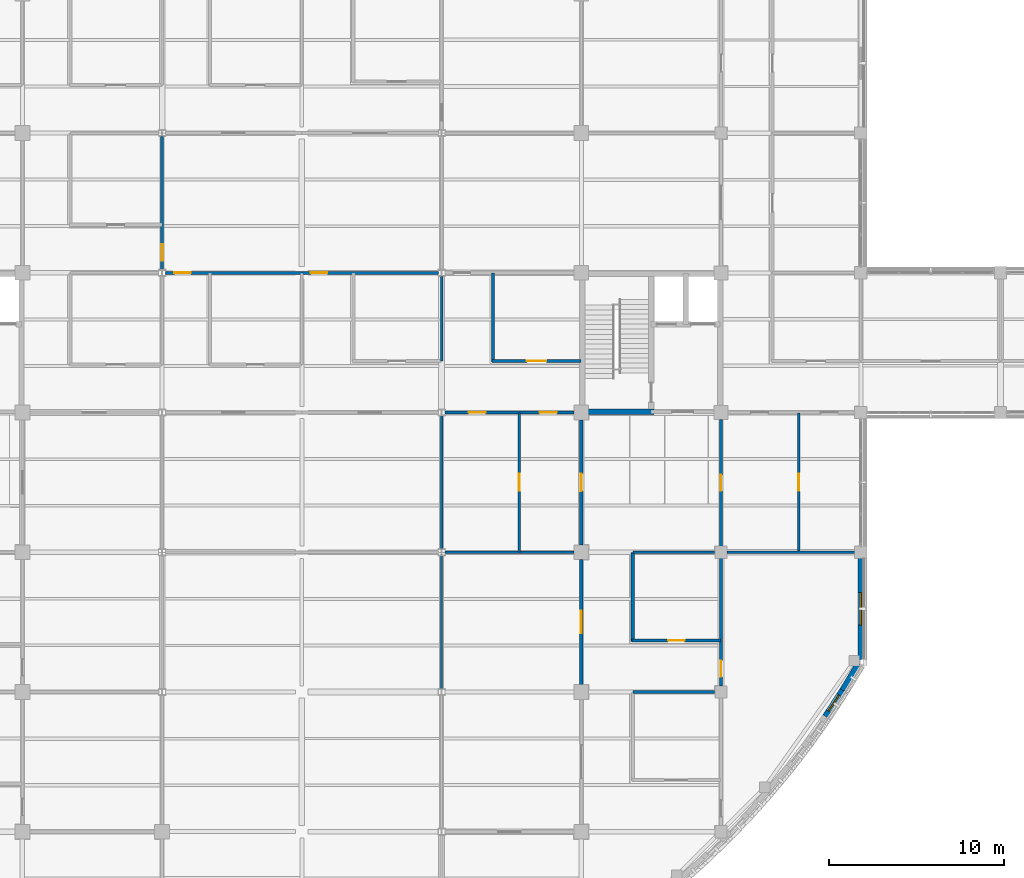
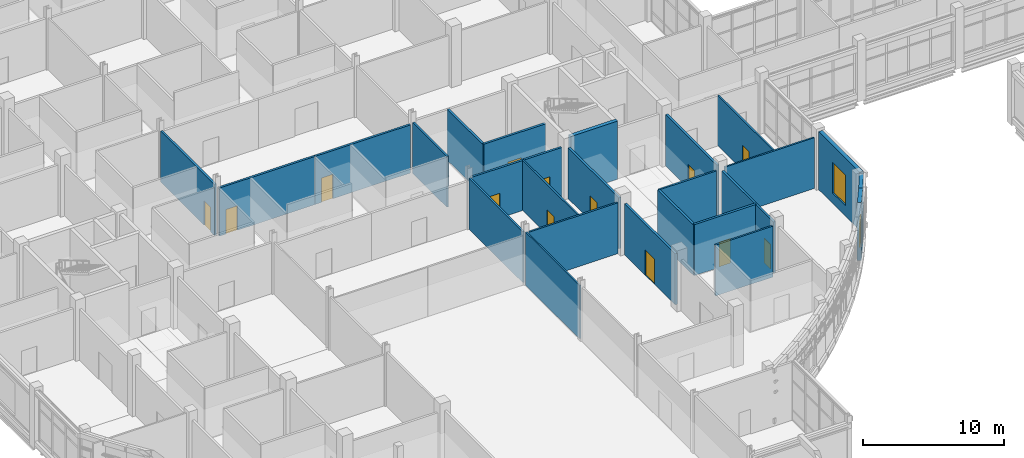
# One storey, part 66 of 105: 25 walls, 13 doors, 2 windows, 15 openings.
"""IFC4 building model written with IfcOpenShell, lengths in metres."""

from ifc_helpers import new_model, si_unit, derived_unit, direction, frame, frame_2d, origin, place, context, subcontext, project, spatial, rectangle, extrude, material, layer, layer_set, type_object, element, fill, save


model = new_model("IFC4")

# Units and contexts
model_context = context("Model", 3, precision=1e-05, world=origin(), true_north=direction((0.0, 1.0)))
body_context = subcontext(model_context, "Body", "Model", "MODEL_VIEW")
ifc_project = project(units=[si_unit("LENGTHUNIT", "METRE"), si_unit("AREAUNIT", "SQUARE_METRE"), si_unit("VOLUMEUNIT", "CUBIC_METRE"), si_unit("PLANEANGLEUNIT", "RADIAN"), si_unit("MASSUNIT", "GRAM", prefix="KILO"), derived_unit("THERMALTRANSMITTANCEUNIT", [(si_unit("MASSUNIT", "GRAM", prefix="KILO"), 1), (si_unit("TIMEUNIT", "SECOND"), -3), (si_unit("THERMODYNAMICTEMPERATUREUNIT", "KELVIN"), -1)])], contexts=[model_context])

# Site, building, storey
site_placement = place(None, origin())
site = spatial("IfcSite", under=ifc_project, at=site_placement, CompositionType="ELEMENT")
building_placement = place(site_placement, origin())
building = spatial("IfcBuilding", under=site, at=building_placement, Name="Veyamyaing Civic Hall", CompositionType="ELEMENT")
storey_placement = place(building_placement, origin())
storey = spatial("IfcBuildingStorey", under=building, at=storey_placement, Name="L00", CompositionType="ELEMENT", Elevation=0.0)

# Wall, opening, window
ifc_material_1 = material(Name="Precast concrete C40/50", Category="concrete")
ifc_layer_1 = layer(ifc_material_1, 0.304931640625, Name="Precast concrete C40/50")
ifc_layer_set_1 = layer_set([ifc_layer_1], Name="Precast concrete C40/50")
wall_type_1 = type_object("IfcWallType", Name="WT-03", PredefinedType="SOLIDWALL", material=ifc_layer_set_1)
wall_1_placement = place(storey_placement, frame((117.960693359375, 30.61474609375, 0.0), z_axis=(0.0, 0.0, 1.0), x_axis=(0.547681678944, 0.836686786408, 0.0)))
wall_1 = element("IfcWall", 1, at=wall_1_placement, inside=storey, type_object=wall_type_1, Name="Curved corner facade wall WT-03 L00 SE.13", PredefinedType="SOLIDWALL", context=body_context, shape_type="SweptSolid", body=[
    extrude(rectangle(XDim=1.795166015625, YDim=0.304931640625, at=frame_2d((0.8974609375, 0.0))), origin(), (0.0, 0.0, 1.0), 5.034912109375),
])
opening_1_placement = place(wall_1_placement, frame((0.347412109375, 0.0, 0.89990234375)))
opening_1 = element("IfcOpeningElement", 2, at=opening_1_placement, cuts=wall_1, Name="Opening W-15", PredefinedType="OPENING", context=body_context, shape_type="SweptSolid", body=[
    extrude(rectangle(XDim=1.10009765625, YDim=2.10009765625, at=frame_2d((0.550048828125, 1.050048828125))), frame((0.0, 0.162353515625, 0.0), z_axis=(0.0, -1.0, 0.0), x_axis=(1.0, 0.0, 0.0)), (0.0, 0.0, 1.0), 0.324951171875),
])
ifc_material_2 = material(Name="Low-E insulated glass", Category="glass")
window_type_1 = type_object("IfcWindowType", Name="W-15", PartitioningType="SINGLE_PANEL", PredefinedType="WINDOW", material=ifc_material_2)
window_1_placement = place(opening_1_placement, origin())
window_1 = element("IfcWindow", 3, at=window_1_placement, inside=storey, type_object=window_type_1, Name="Curved ribbon window W-15 L00 SE.13", OverallHeight=2.10009765625, OverallWidth=1.10009765625, PartitioningType="SINGLE_PANEL", PredefinedType="WINDOW", context=body_context, shape_type="SweptSolid", body=[
    extrude(rectangle(XDim=1.10009765625, YDim=2.10009765625, at=frame_2d((0.550048828125, 1.050048828125))), frame((0.0, 0.030029296875, 0.0), z_axis=(0.0, -1.0, 0.0), x_axis=(1.0, 0.0, 0.0)), (0.0, 0.0, 1.0), 0.06005859375),
])
fill(opening_1, window_1)

# Wall
wall_2_placement = place(storey_placement, frame((118.94091796875, 32.11181640625, 0.0), z_axis=(0.0, 0.0, 1.0), x_axis=(0.51607516088, 0.856543302071, 0.0)))
element("IfcWall", 4, at=wall_2_placement, inside=storey, type_object=wall_type_1, Name="Curved corner facade wall WT-03 L00 SE.14", PredefinedType="SOLIDWALL", context=body_context, shape_type="SweptSolid", body=[
    extrude(rectangle(XDim=1.794921875, YDim=0.304931640625, at=frame_2d((0.8974609375, 0.0))), origin(), (0.0, 0.0, 1.0), 5.034912109375),
])

# Wall, opening, window
wall_3_placement = place(storey_placement, frame((120.0, 33.854248046875, 0.0), z_axis=(0.0, 0.0, 1.0), x_axis=(0.0, 1.0, 0.0)))
wall_3 = element("IfcWall", 5, at=wall_3_placement, inside=storey, type_object=wall_type_1, Name="Exterior facade wall WT-03 L00 E 15.5", PredefinedType="SOLIDWALL", context=body_context, shape_type="SweptSolid", body=[
    extrude(rectangle(XDim=5.810791015625, YDim=0.304931640625, at=frame_2d((2.9052734375, 0.0))), origin(), (0.0, 0.0, 1.0), 5.034912109375),
])
opening_2_placement = place(wall_3_placement, frame((1.98046875, 0.0, 0.89990234375)))
opening_2 = element("IfcOpeningElement", 6, at=opening_2_placement, cuts=wall_3, Name="Opening W-03", PredefinedType="OPENING", context=body_context, shape_type="SweptSolid", body=[
    extrude(rectangle(XDim=1.85009765625, YDim=2.64990234375, at=frame_2d((0.925048828125, 1.324951171875))), frame((0.0, 0.162353515625, 0.0), z_axis=(0.0, -1.0, 0.0), x_axis=(1.0, 0.0, 0.0)), (0.0, 0.0, 1.0), 0.324951171875),
])
window_type_2 = type_object("IfcWindowType", Name="W-03", PartitioningType="SINGLE_PANEL", PredefinedType="WINDOW", material=ifc_material_2)
window_2_placement = place(opening_2_placement, origin())
window_2 = element("IfcWindow", 7, at=window_2_placement, inside=storey, type_object=window_type_2, Name="Facade window W-03 L00 E 15.5", OverallHeight=2.64990234375, OverallWidth=1.85009765625, PartitioningType="SINGLE_PANEL", PredefinedType="WINDOW", context=body_context, shape_type="SweptSolid", body=[
    extrude(rectangle(XDim=1.85009765625, YDim=2.64990234375, at=frame_2d((0.925048828125, 1.324951171875))), frame((0.0, 0.030029296875, 0.0), z_axis=(0.0, -1.0, 0.0), x_axis=(1.0, 0.0, 0.0)), (0.0, 0.0, 1.0), 0.06005859375),
])
fill(opening_2, window_2)

# Wall
ifc_material_3 = material(Name="Concrete C40/50", Category="concrete")
ifc_layer_2 = layer(ifc_material_3, 0.300048828125, Name="Concrete C40/50")
ifc_layer_set_2 = layer_set([ifc_layer_2], Name="Concrete C40/50")
wall_type_2 = type_object("IfcWallType", Name="WT-05", PredefinedType="SHEAR", material=ifc_layer_set_2)
wall_4_placement = place(storey_placement, frame((104.31494140625, 48.050048828125, 0.0), z_axis=(0.0, 0.0, 1.0), x_axis=(1.0, 0.0, 0.0)))
element("IfcWall", 8, at=wall_4_placement, inside=storey, type_object=wall_type_2, Name="Core shear wall WT-05 CORE-6 L00.SS", PredefinedType="SHEAR", context=body_context, shape_type="SweptSolid", body=[
    extrude(rectangle(XDim=3.8349609375, YDim=0.300048828125, at=frame_2d((1.91748046875, 0.0))), origin(), (0.0, 0.0, 1.0), 5.034912109375),
])

# Wall, opening, door
ifc_material_4 = material(Name="Gypsum board on acoustic steel stud", Category="steel")
ifc_layer_3 = layer(ifc_material_4, 0.175048828125, Name="Gypsum board on acoustic steel stud")
ifc_layer_set_3 = layer_set([ifc_layer_3], Name="Gypsum board on acoustic steel stud")
wall_type_3 = type_object("IfcWallType", Name="WT-07", PredefinedType="PARTITIONING", material=ifc_layer_set_3)
wall_5_placement = place(storey_placement, frame((80.0, 56.18359375, 0.0), z_axis=(0.0, 0.0, 1.0), x_axis=(0.0, 1.0, 0.0)))
wall_5 = element("IfcWall", 9, at=wall_5_placement, inside=storey, type_object=wall_type_3, Name="Interior partition wall WT-07 L00.67", PredefinedType="PARTITIONING", context=body_context, shape_type="SweptSolid", body=[
    extrude(rectangle(XDim=7.6328125, YDim=0.175048828125, at=frame_2d((3.81640625, 0.0))), origin(), (0.0, 0.0, 1.0), 4.412109375),
])
opening_3_placement = place(wall_5_placement, frame((0.52001953125, 0.0, 0.0)))
opening_3 = element("IfcOpeningElement", 10, at=opening_3_placement, cuts=wall_5, Name="Opening D-30", PredefinedType="OPENING", context=body_context, shape_type="SweptSolid", body=[
    extrude(rectangle(XDim=0.93994140625, YDim=2.1201171875, at=frame_2d((0.469970703125, 1.06005859375))), frame((0.0, 0.097412109375, 0.0), z_axis=(0.0, -1.0, 0.0), x_axis=(1.0, 0.0, 0.0)), (0.0, 0.0, 1.0), 0.195068359375),
])
ifc_material_5 = material(Name="Teak-veneered acoustic timber", Category="wood")
door_type_1 = type_object("IfcDoorType", Name="D-30", OperationType="NOTDEFINED", PredefinedType="DOOR", material=ifc_material_5)
door_1_placement = place(opening_3_placement, frame((0.93994140625, 0.0, 0.0), z_axis=(0.0, 0.0, 1.0), x_axis=(-1.0, 0.0, 0.0)))
door_1 = element("IfcDoor", 11, at=door_1_placement, inside=storey, type_object=door_type_1, Name="Interior door D-30 L00.67", OperationType="SINGLE_SWING_LEFT", OverallHeight=2.1201171875, OverallWidth=0.93994140625, PredefinedType="DOOR", context=body_context, shape_type="SweptSolid", body=[
    extrude(rectangle(XDim=0.93994140625, YDim=2.1201171875, at=frame_2d((0.469970703125, 1.06005859375))), frame((0.0, 0.02490234375, 0.0), z_axis=(0.0, -1.0, 0.0), x_axis=(1.0, 0.0, 0.0)), (0.0, 0.0, 1.0), 0.050048828125),
])
fill(opening_3, door_1)

wall_6_placement = place(storey_placement, frame((80.18896484375, 56.0, 0.0), z_axis=(0.0, 0.0, 1.0), x_axis=(1.0, 0.0, 0.0)))
wall_6 = element("IfcWall", 12, at=wall_6_placement, inside=storey, type_object=wall_type_3, Name="Interior partition wall WT-07 L00.75", PredefinedType="PARTITIONING", context=body_context, shape_type="SweptSolid", body=[
    extrude(rectangle(XDim=7.81103515625, YDim=0.175048828125, at=frame_2d((3.905517578125, 0.0))), origin(), (0.0, 0.0, 1.0), 4.1689453125),
])
opening_4_placement = place(wall_6_placement, frame((0.52001953125, 0.0, 0.0)))
opening_4 = element("IfcOpeningElement", 13, at=opening_4_placement, cuts=wall_6, Name="Opening D-30", PredefinedType="OPENING", context=body_context, shape_type="SweptSolid", body=[
    extrude(rectangle(XDim=0.93994140625, YDim=2.1201171875, at=frame_2d((0.469970703125, 1.06005859375))), frame((0.0, 0.097412109375, 0.0), z_axis=(0.0, -1.0, 0.0), x_axis=(1.0, 0.0, 0.0)), (0.0, 0.0, 1.0), 0.195068359375),
])
door_2_placement = place(opening_4_placement, origin())
door_2 = element("IfcDoor", 14, at=door_2_placement, inside=storey, type_object=door_type_1, Name="Interior door D-30 L00.75", OperationType="SINGLE_SWING_RIGHT", OverallHeight=2.1201171875, OverallWidth=0.93994140625, PredefinedType="DOOR", context=body_context, shape_type="SweptSolid", body=[
    extrude(rectangle(XDim=0.93994140625, YDim=2.1201171875, at=frame_2d((0.469970703125, 1.06005859375))), frame((0.0, 0.02490234375, 0.0), z_axis=(0.0, -1.0, 0.0), x_axis=(1.0, 0.0, 0.0)), (0.0, 0.0, 1.0), 0.050048828125),
])
fill(opening_4, door_2)

wall_7_placement = place(storey_placement, frame((88.0, 56.0, 0.0), z_axis=(0.0, 0.0, 1.0), x_axis=(1.0, 0.0, 0.0)))
wall_7 = element("IfcWall", 15, at=wall_7_placement, inside=storey, type_object=wall_type_3, Name="Interior partition wall WT-07 L00.89", PredefinedType="PARTITIONING", context=body_context, shape_type="SweptSolid", body=[
    extrude(rectangle(XDim=7.81103515625, YDim=0.175048828125, at=frame_2d((3.905517578125, 0.0))), origin(), (0.0, 0.0, 1.0), 4.1689453125),
])
opening_5_placement = place(wall_7_placement, frame((0.52001953125, 0.0, 0.0)))
opening_5 = element("IfcOpeningElement", 16, at=opening_5_placement, cuts=wall_7, Name="Opening D-30", PredefinedType="OPENING", context=body_context, shape_type="SweptSolid", body=[
    extrude(rectangle(XDim=0.93994140625, YDim=2.1201171875, at=frame_2d((0.469970703125, 1.06005859375))), frame((0.0, 0.097412109375, 0.0), z_axis=(0.0, -1.0, 0.0), x_axis=(1.0, 0.0, 0.0)), (0.0, 0.0, 1.0), 0.195068359375),
])
door_3_placement = place(opening_5_placement, origin())
door_3 = element("IfcDoor", 17, at=door_3_placement, inside=storey, type_object=door_type_1, Name="Interior door D-30 L00.89", OperationType="SINGLE_SWING_LEFT", OverallHeight=2.1201171875, OverallWidth=0.93994140625, PredefinedType="DOOR", context=body_context, shape_type="SweptSolid", body=[
    extrude(rectangle(XDim=0.93994140625, YDim=2.1201171875, at=frame_2d((0.469970703125, 1.06005859375))), frame((0.0, 0.02490234375, 0.0), z_axis=(0.0, -1.0, 0.0), x_axis=(1.0, 0.0, 0.0)), (0.0, 0.0, 1.0), 0.050048828125),
])
fill(opening_5, door_3)

# Wall, openings, doors
wall_8_placement = place(storey_placement, frame((96.18896484375, 48.0, 0.0), z_axis=(0.0, 0.0, 1.0), x_axis=(1.0, 0.0, 0.0)))
wall_8 = element("IfcWall", 18, at=wall_8_placement, inside=storey, type_object=wall_type_3, Name="Interior partition wall WT-07 L00.101", PredefinedType="PARTITIONING", context=body_context, shape_type="SweptSolid", body=[
    extrude(rectangle(XDim=7.39599609375, YDim=0.175048828125, at=frame_2d((3.697998046875, 0.0))), origin(), (0.0, 0.0, 1.0), 4.3359375),
])
opening_6_placement = place(wall_8_placement, frame((1.35888671875, 0.0, 0.0)))
opening_6 = element("IfcOpeningElement", 19, at=opening_6_placement, cuts=wall_8, Name="Opening D-14", PredefinedType="OPENING", context=body_context, shape_type="SweptSolid", body=[
    extrude(rectangle(XDim=0.97998046875, YDim=2.14990234375, at=frame_2d((0.489990234375, 1.074951171875))), frame((0.0, 0.097412109375, 0.0), z_axis=(0.0, -1.0, 0.0), x_axis=(1.0, 0.0, 0.0)), (0.0, 0.0, 1.0), 0.195068359375),
])
opening_7_placement = place(wall_8_placement, frame((5.4267578125, 0.0, 0.0)))
opening_7 = element("IfcOpeningElement", 20, at=opening_7_placement, cuts=wall_8, Name="Opening D-14", PredefinedType="OPENING", context=body_context, shape_type="SweptSolid", body=[
    extrude(rectangle(XDim=0.97998046875, YDim=2.14990234375, at=frame_2d((0.489990234375, 1.074951171875))), frame((0.0, 0.097412109375, 0.0), z_axis=(0.0, -1.0, 0.0), x_axis=(1.0, 0.0, 0.0)), (0.0, 0.0, 1.0), 0.195068359375),
])
door_type_2 = type_object("IfcDoorType", Name="D-14", OperationType="NOTDEFINED", PredefinedType="DOOR", material=ifc_material_5)
door_4_placement = place(opening_6_placement, frame((0.97998046875, 0.0, 0.0), z_axis=(0.0, 0.0, 1.0), x_axis=(-1.0, 0.0, 0.0)))
door_4 = element("IfcDoor", 21, at=door_4_placement, inside=storey, type_object=door_type_2, Name="Interior room door D-14 L00.101.1", OperationType="SINGLE_SWING_LEFT", OverallHeight=2.14990234375, OverallWidth=0.97998046875, PredefinedType="DOOR", context=body_context, shape_type="SweptSolid", body=[
    extrude(rectangle(XDim=0.97998046875, YDim=2.14990234375, at=frame_2d((0.489990234375, 1.074951171875))), frame((0.0, 0.02490234375, 0.0), z_axis=(0.0, -1.0, 0.0), x_axis=(1.0, 0.0, 0.0)), (0.0, 0.0, 1.0), 0.050048828125),
])
fill(opening_6, door_4)
door_5_placement = place(opening_7_placement, frame((0.97998046875, 0.0, 0.0), z_axis=(0.0, 0.0, 1.0), x_axis=(-1.0, 0.0, 0.0)))
door_5 = element("IfcDoor", 22, at=door_5_placement, inside=storey, type_object=door_type_2, Name="Interior room door D-14 L00.101.2", OperationType="SINGLE_SWING_RIGHT", OverallHeight=2.14990234375, OverallWidth=0.97998046875, PredefinedType="DOOR", context=body_context, shape_type="SweptSolid", body=[
    extrude(rectangle(XDim=0.97998046875, YDim=2.14990234375, at=frame_2d((0.489990234375, 1.074951171875))), frame((0.0, 0.02490234375, 0.0), z_axis=(0.0, -1.0, 0.0), x_axis=(1.0, 0.0, 0.0)), (0.0, 0.0, 1.0), 0.050048828125),
])
fill(opening_7, door_5)

# Wall, opening, door
wall_9_placement = place(storey_placement, frame((112.0, 32.340087890625, 0.0), z_axis=(0.0, 0.0, 1.0), x_axis=(0.0, 1.0, 0.0)))
wall_9 = element("IfcWall", 23, at=wall_9_placement, inside=storey, type_object=wall_type_3, Name="Interior partition wall WT-07 L00.111", PredefinedType="PARTITIONING", context=body_context, shape_type="SweptSolid", body=[
    extrude(rectangle(XDim=7.31982421875, YDim=0.175048828125, at=frame_2d((3.659912109375, 0.0))), origin(), (0.0, 0.0, 1.0), 4.404052734375),
])
opening_8_placement = place(wall_9_placement, frame((0.52001953125, 0.0, 0.0)))
opening_8 = element("IfcOpeningElement", 24, at=opening_8_placement, cuts=wall_9, Name="Opening D-30", PredefinedType="OPENING", context=body_context, shape_type="SweptSolid", body=[
    extrude(rectangle(XDim=0.93994140625, YDim=2.1201171875, at=frame_2d((0.469970703125, 1.06005859375))), frame((0.0, 0.097412109375, 0.0), z_axis=(0.0, -1.0, 0.0), x_axis=(1.0, 0.0, 0.0)), (0.0, 0.0, 1.0), 0.195068359375),
])
door_6_placement = place(opening_8_placement, frame((0.93994140625, 0.0, 0.0), z_axis=(0.0, 0.0, 1.0), x_axis=(-1.0, 0.0, 0.0)))
door_6 = element("IfcDoor", 25, at=door_6_placement, inside=storey, type_object=door_type_1, Name="Interior door D-30 L00.111", OperationType="SINGLE_SWING_LEFT", OverallHeight=2.1201171875, OverallWidth=0.93994140625, PredefinedType="DOOR", context=body_context, shape_type="SweptSolid", body=[
    extrude(rectangle(XDim=0.93994140625, YDim=2.1201171875, at=frame_2d((0.469970703125, 1.06005859375))), frame((0.0, 0.02490234375, 0.0), z_axis=(0.0, -1.0, 0.0), x_axis=(1.0, 0.0, 0.0)), (0.0, 0.0, 1.0), 0.050048828125),
])
fill(opening_8, door_6)

# Walls
ifc_material_6 = material(Name="Gypsum board on steel stud", Category="steel")
ifc_layer_4 = layer(ifc_material_6, 0.14990234375, Name="Gypsum board on steel stud")
ifc_layer_set_4 = layer_set([ifc_layer_4], Name="Gypsum board on steel stud")
wall_type_4 = type_object("IfcWallType", Name="WT-08", PredefinedType="PARTITIONING", material=ifc_layer_set_4)
wall_10_placement = place(storey_placement, frame((96.0, 50.949951171875, 0.0), z_axis=(0.0, 0.0, 1.0), x_axis=(0.0, 1.0, 0.0)))
element("IfcWall", 26, at=wall_10_placement, inside=storey, type_object=wall_type_4, Name="Gallery office end partition WT-08 L00.41.2", PredefinedType="PARTITIONING", context=body_context, shape_type="SweptSolid", body=[
    extrude(rectangle(XDim=4.846435546875, YDim=0.14990234375, at=frame_2d((2.42333984375, 0.0))), origin(), (0.0, 0.0, 1.0), 4.404052734375),
])
wall_11_placement = place(storey_placement, frame((106.949951171875, 32.0, 0.0), z_axis=(0.0, 0.0, 1.0), x_axis=(1.0, 0.0, 0.0)))
element("IfcWall", 27, at=wall_11_placement, inside=storey, type_object=wall_type_4, Name="Gallery office end partition WT-08 L00.47.1", PredefinedType="PARTITIONING", context=body_context, shape_type="SweptSolid", body=[
    extrude(rectangle(XDim=4.68994140625, YDim=0.14990234375, at=frame_2d((2.344970703125, 0.0))), origin(), (0.0, 0.0, 1.0), 4.403076171875),
])
wall_12_placement = place(storey_placement, frame((106.949951171875, 40.0, 0.0), z_axis=(0.0, 0.0, 1.0), x_axis=(1.0, 0.0, 0.0)))
element("IfcWall", 28, at=wall_12_placement, inside=storey, type_object=wall_type_4, Name="Gallery office end partition WT-08 L00.48.1", PredefinedType="PARTITIONING", context=body_context, shape_type="SweptSolid", body=[
    extrude(rectangle(XDim=4.68994140625, YDim=0.14990234375, at=frame_2d((2.344970703125, 0.0))), origin(), (0.0, 0.0, 1.0), 4.3359375),
])
wall_13_placement = place(storey_placement, frame((96.0, 40.18359375, 0.0), z_axis=(0.0, 0.0, 1.0), x_axis=(0.0, 1.0, 0.0)))
element("IfcWall", 29, at=wall_13_placement, inside=storey, type_object=wall_type_4, Name="Interior partition wall WT-08 L00.87", PredefinedType="PARTITIONING", context=body_context, shape_type="SweptSolid", body=[
    extrude(rectangle(XDim=7.6328125, YDim=0.14990234375, at=frame_2d((3.81640625, 0.0))), origin(), (0.0, 0.0, 1.0), 4.412109375),
])
wall_14_placement = place(storey_placement, frame((96.18896484375, 40.0, 0.0), z_axis=(0.0, 0.0, 1.0), x_axis=(1.0, 0.0, 0.0)))
element("IfcWall", 30, at=wall_14_placement, inside=storey, type_object=wall_type_4, Name="Interior partition wall WT-08 L00.99", PredefinedType="PARTITIONING", context=body_context, shape_type="SweptSolid", body=[
    extrude(rectangle(XDim=7.39599609375, YDim=0.14990234375, at=frame_2d((3.697998046875, 0.0))), origin(), (0.0, 0.0, 1.0), 4.403076171875),
])
ifc_layer_5 = layer(ifc_material_6, 0.135009765625, Name="Gypsum board on steel stud")
ifc_layer_set_5 = layer_set([ifc_layer_5], Name="Gypsum board on steel stud")
wall_type_5 = type_object("IfcWallType", Name="WT-15", PredefinedType="PARTITIONING", material=ifc_layer_set_5)
wall_15_placement = place(storey_placement, frame((112.340087890625, 40.0, 0.0), z_axis=(0.0, 0.0, 1.0), x_axis=(1.0, 0.0, 0.0)))
element("IfcWall", 31, at=wall_15_placement, inside=storey, type_object=wall_type_5, Name="Interior partition wall WT-15 L00.120", PredefinedType="PARTITIONING", context=body_context, shape_type="SweptSolid", body=[
    extrude(rectangle(XDim=7.31982421875, YDim=0.135009765625, at=frame_2d((3.659912109375, 0.0))), origin(), (0.0, 0.0, 1.0), 4.404052734375),
])

# Wall, opening, door
wall_16_placement = place(storey_placement, frame((100.449951171875, 40.02001953125, 0.0), z_axis=(0.0, 0.0, 1.0), x_axis=(0.0, 1.0, 0.0)))
wall_16 = element("IfcWall", 32, at=wall_16_placement, inside=storey, type_object=wall_type_5, Name="Sub-bay room partition WT-15 L00.3", PredefinedType="PARTITIONING", context=body_context, shape_type="SweptSolid", body=[
    extrude(rectangle(XDim=7.9599609375, YDim=0.135009765625, at=frame_2d((3.97998046875, 0.0))), origin(), (0.0, 0.0, 1.0), 4.3359375),
])
opening_9_placement = place(wall_16_placement, frame((3.489990234375, 0.0, 0.0)))
opening_9 = element("IfcOpeningElement", 33, at=opening_9_placement, cuts=wall_16, Name="Opening D-14", PredefinedType="OPENING", context=body_context, shape_type="SweptSolid", body=[
    extrude(rectangle(XDim=0.97998046875, YDim=2.14990234375, at=frame_2d((0.489990234375, 1.074951171875))), frame((0.0, 0.077392578125, 0.0), z_axis=(0.0, -1.0, 0.0), x_axis=(1.0, 0.0, 0.0)), (0.0, 0.0, 1.0), 0.155029296875),
])
door_7_placement = place(opening_9_placement, origin())
door_7 = element("IfcDoor", 34, at=door_7_placement, inside=storey, type_object=door_type_2, Name="Suite connecting door D-14 L00.3", OperationType="SINGLE_SWING_RIGHT", OverallHeight=2.14990234375, OverallWidth=0.97998046875, PredefinedType="DOOR", context=body_context, shape_type="SweptSolid", body=[
    extrude(rectangle(XDim=0.97998046875, YDim=2.14990234375, at=frame_2d((0.489990234375, 1.074951171875))), frame((0.0, 0.02490234375, 0.0), z_axis=(0.0, -1.0, 0.0), x_axis=(1.0, 0.0, 0.0)), (0.0, 0.0, 1.0), 0.050048828125),
])
fill(opening_9, door_7)

wall_17_placement = place(storey_placement, frame((116.449951171875, 40.02001953125, 0.0), z_axis=(0.0, 0.0, 1.0), x_axis=(0.0, 1.0, 0.0)))
wall_17 = element("IfcWall", 35, at=wall_17_placement, inside=storey, type_object=wall_type_5, Name="Sub-bay room partition WT-15 L00.4", PredefinedType="PARTITIONING", context=body_context, shape_type="SweptSolid", body=[
    extrude(rectangle(XDim=7.9599609375, YDim=0.135009765625, at=frame_2d((3.97998046875, 0.0))), origin(), (0.0, 0.0, 1.0), 4.326904296875),
])
opening_10_placement = place(wall_17_placement, frame((3.489990234375, 0.0, 0.0)))
opening_10 = element("IfcOpeningElement", 36, at=opening_10_placement, cuts=wall_17, Name="Opening D-14", PredefinedType="OPENING", context=body_context, shape_type="SweptSolid", body=[
    extrude(rectangle(XDim=0.97998046875, YDim=2.14990234375, at=frame_2d((0.489990234375, 1.074951171875))), frame((0.0, 0.077392578125, 0.0), z_axis=(0.0, -1.0, 0.0), x_axis=(1.0, 0.0, 0.0)), (0.0, 0.0, 1.0), 0.155029296875),
])
door_8_placement = place(opening_10_placement, origin())
door_8 = element("IfcDoor", 37, at=door_8_placement, inside=storey, type_object=door_type_2, Name="Suite connecting door D-14 L00.4", OperationType="SINGLE_SWING_LEFT", OverallHeight=2.14990234375, OverallWidth=0.97998046875, PredefinedType="DOOR", context=body_context, shape_type="SweptSolid", body=[
    extrude(rectangle(XDim=0.97998046875, YDim=2.14990234375, at=frame_2d((0.489990234375, 1.074951171875))), frame((0.0, 0.02490234375, 0.0), z_axis=(0.0, -1.0, 0.0), x_axis=(1.0, 0.0, 0.0)), (0.0, 0.0, 1.0), 0.050048828125),
])
fill(opening_10, door_8)

# Wall
ifc_layer_6 = layer(ifc_material_6, 0.1201171875, Name="Gypsum board on steel stud")
ifc_layer_set_6 = layer_set([ifc_layer_6], Name="Gypsum board on steel stud")
wall_type_6 = type_object("IfcWallType", Name="WT-16", PredefinedType="PARTITIONING", material=ifc_layer_set_6)
wall_18_placement = place(storey_placement, frame((96.0, 32.18359375, 0.0), z_axis=(0.0, 0.0, 1.0), x_axis=(0.0, 1.0, 0.0)))
element("IfcWall", 38, at=wall_18_placement, inside=storey, type_object=wall_type_6, Name="Interior partition wall WT-16 L00.85", PredefinedType="PARTITIONING", context=body_context, shape_type="SweptSolid", body=[
    extrude(rectangle(XDim=7.6328125, YDim=0.1201171875, at=frame_2d((3.81640625, 0.0))), origin(), (0.0, 0.0, 1.0), 4.60302734375),
])

# Wall, opening, door
ifc_material_7 = material(Name="Gypsum board on double acoustic stud")
ifc_layer_7 = layer(ifc_material_7, 0.18505859375, Name="Gypsum board on double acoustic stud")
ifc_layer_set_7 = layer_set([ifc_layer_7], Name="Gypsum board on double acoustic stud")
wall_type_7 = type_object("IfcWallType", Name="WT-19", PredefinedType="PARTITIONING", material=ifc_layer_set_7)
wall_19_placement = place(storey_placement, frame((98.89990234375, 50.949951171875, 0.0), z_axis=(0.0, 0.0, 1.0), x_axis=(1.0, 0.0, 0.0)))
wall_19 = element("IfcWall", 39, at=wall_19_placement, inside=storey, type_object=wall_type_7, Name="Corridor gallery partition WT-19 L00.46.1", PredefinedType="PARTITIONING", context=body_context, shape_type="SweptSolid", body=[
    extrude(rectangle(XDim=5.080078125, YDim=0.18505859375, at=frame_2d((2.5400390625, 0.0))), origin(), (0.0, 0.0, 1.0), 4.470947265625),
])
opening_11_placement = place(wall_19_placement, frame((1.97998046875, 0.0, 0.0)))
opening_11 = element("IfcOpeningElement", 40, at=opening_11_placement, cuts=wall_19, Name="Opening D-26", PredefinedType="OPENING", context=body_context, shape_type="SweptSolid", body=[
    extrude(rectangle(XDim=1.1201171875, YDim=2.219970703125, at=frame_2d((0.56005859375, 1.10986328125))), frame((0.0, 0.1025390625, 0.0), z_axis=(0.0, -1.0, 0.0), x_axis=(1.0, 0.0, 0.0)), (0.0, 0.0, 1.0), 0.205078125),
])
door_type_3 = type_object("IfcDoorType", Name="D-26", OperationType="NOTDEFINED", PredefinedType="DOOR", material=ifc_material_5)
door_9_placement = place(opening_11_placement, origin())
door_9 = element("IfcDoor", 41, at=door_9_placement, inside=storey, type_object=door_type_3, Name="Gallery office door D-26 L00.46", OperationType="SINGLE_SWING_LEFT", OverallHeight=2.219970703125, OverallWidth=1.1201171875, PredefinedType="DOOR", context=body_context, shape_type="SweptSolid", body=[
    extrude(rectangle(XDim=1.1201171875, YDim=2.219970703125, at=frame_2d((0.56005859375, 1.10986328125))), frame((0.0, 0.02490234375, 0.0), z_axis=(0.0, -1.0, 0.0), x_axis=(1.0, 0.0, 0.0)), (0.0, 0.0, 1.0), 0.050048828125),
])
fill(opening_11, door_9)

# Wall
wall_20_placement = place(storey_placement, frame((98.949951171875, 50.89990234375, 0.0), z_axis=(0.0, 0.0, 1.0), x_axis=(0.0, 1.0, 0.0)))
element("IfcWall", 42, at=wall_20_placement, inside=storey, type_object=wall_type_7, Name="Corridor gallery partition WT-19 L00.46.2", PredefinedType="PARTITIONING", context=body_context, shape_type="SweptSolid", body=[
    extrude(rectangle(XDim=5.080078125, YDim=0.18505859375, at=frame_2d((2.5400390625, 0.0))), origin(), (0.0, 0.0, 1.0), 4.404052734375),
])

# Wall, opening, door
wall_21_placement = place(storey_placement, frame((106.89990234375, 34.949951171875, 0.0), z_axis=(0.0, 0.0, 1.0), x_axis=(1.0, 0.0, 0.0)))
wall_21 = element("IfcWall", 43, at=wall_21_placement, inside=storey, type_object=wall_type_7, Name="Corridor gallery partition WT-19 L00.48.1", PredefinedType="PARTITIONING", context=body_context, shape_type="SweptSolid", body=[
    extrude(rectangle(XDim=5.080078125, YDim=0.18505859375, at=frame_2d((2.5400390625, 0.0))), origin(), (0.0, 0.0, 1.0), 4.404052734375),
])
opening_12_placement = place(wall_21_placement, frame((2.070068359375, 0.0, 0.0)))
opening_12 = element("IfcOpeningElement", 44, at=opening_12_placement, cuts=wall_21, Name="Opening D-30", PredefinedType="OPENING", context=body_context, shape_type="SweptSolid", body=[
    extrude(rectangle(XDim=0.93994140625, YDim=2.1201171875, at=frame_2d((0.469970703125, 1.06005859375))), frame((0.0, 0.1025390625, 0.0), z_axis=(0.0, -1.0, 0.0), x_axis=(1.0, 0.0, 0.0)), (0.0, 0.0, 1.0), 0.205078125),
])
door_10_placement = place(opening_12_placement, origin())
door_10 = element("IfcDoor", 45, at=door_10_placement, inside=storey, type_object=door_type_1, Name="Gallery office door D-30 L00.48", OperationType="SINGLE_SWING_LEFT", OverallHeight=2.1201171875, OverallWidth=0.93994140625, PredefinedType="DOOR", context=body_context, shape_type="SweptSolid", body=[
    extrude(rectangle(XDim=0.93994140625, YDim=2.1201171875, at=frame_2d((0.469970703125, 1.06005859375))), frame((0.0, 0.02490234375, 0.0), z_axis=(0.0, -1.0, 0.0), x_axis=(1.0, 0.0, 0.0)), (0.0, 0.0, 1.0), 0.050048828125),
])
fill(opening_12, door_10)

# Wall
wall_22_placement = place(storey_placement, frame((106.949951171875, 34.89990234375, 0.0), z_axis=(0.0, 0.0, 1.0), x_axis=(0.0, 1.0, 0.0)))
element("IfcWall", 46, at=wall_22_placement, inside=storey, type_object=wall_type_7, Name="Corridor gallery partition WT-19 L00.48.2", PredefinedType="PARTITIONING", context=body_context, shape_type="SweptSolid", body=[
    extrude(rectangle(XDim=5.080078125, YDim=0.18505859375, at=frame_2d((2.5400390625, 0.0))), origin(), (0.0, 0.0, 1.0), 4.3359375),
])

# Wall, opening, door
wall_23_placement = place(storey_placement, frame((104.0, 32.4150390625, 0.0), z_axis=(0.0, 0.0, 1.0), x_axis=(0.0, 1.0, 0.0)))
wall_23 = element("IfcWall", 47, at=wall_23_placement, inside=storey, type_object=wall_type_7, Name="Interior partition wall WT-19 L00.98", PredefinedType="PARTITIONING", context=body_context, shape_type="SweptSolid", body=[
    extrude(rectangle(XDim=7.169921875, YDim=0.18505859375, at=frame_2d((3.5849609375, 0.0))), origin(), (0.0, 0.0, 1.0), 4.412109375),
])
opening_13_placement = place(wall_23_placement, frame((2.93505859375, 0.0, 0.0)))
opening_13 = element("IfcOpeningElement", 48, at=opening_13_placement, cuts=wall_23, Name="Opening D-18", PredefinedType="OPENING", context=body_context, shape_type="SweptSolid", body=[
    extrude(rectangle(XDim=1.300048828125, YDim=2.199951171875, at=frame_2d((0.64990234375, 1.10009765625))), frame((0.0, 0.1025390625, 0.0), z_axis=(0.0, -1.0, 0.0), x_axis=(1.0, 0.0, 0.0)), (0.0, 0.0, 1.0), 0.205078125),
])
ifc_material_8 = material(Name="Anodised aluminium 6063-T6", Category="aluminium")
door_type_4 = type_object("IfcDoorType", Name="D-18", OperationType="DOUBLE_DOOR_SINGLE_SWING", PredefinedType="DOOR", material=ifc_material_8)
door_11_placement = place(opening_13_placement, origin())
door_11 = element("IfcDoor", 49, at=door_11_placement, inside=storey, type_object=door_type_4, Name="Interior door D-18 L00.98", OperationType="DOUBLE_DOOR_SINGLE_SWING", OverallHeight=2.199951171875, OverallWidth=1.300048828125, PredefinedType="DOOR", context=body_context, shape_type="SweptSolid", body=[
    extrude(rectangle(XDim=1.300048828125, YDim=2.199951171875, at=frame_2d((0.64990234375, 1.10009765625))), frame((0.0, 0.02490234375, 0.0), z_axis=(0.0, -1.0, 0.0), x_axis=(1.0, 0.0, 0.0)), (0.0, 0.0, 1.0), 0.050048828125),
])
fill(opening_13, door_11)

wall_24_placement = place(storey_placement, frame((104.0, 40.4150390625, 0.0), z_axis=(0.0, 0.0, 1.0), x_axis=(0.0, 1.0, 0.0)))
wall_24 = element("IfcWall", 50, at=wall_24_placement, inside=storey, type_object=wall_type_7, Name="Interior partition wall WT-19 L00.100", PredefinedType="PARTITIONING", context=body_context, shape_type="SweptSolid", body=[
    extrude(rectangle(XDim=7.169921875, YDim=0.18505859375, at=frame_2d((3.5849609375, 0.0))), origin(), (0.0, 0.0, 1.0), 4.404052734375),
])
opening_14_placement = place(wall_24_placement, frame((3.0849609375, 0.0, 0.0)))
opening_14 = element("IfcOpeningElement", 51, at=opening_14_placement, cuts=wall_24, Name="Opening D-13", PredefinedType="OPENING", context=body_context, shape_type="SweptSolid", body=[
    extrude(rectangle(XDim=1.0, YDim=2.14990234375, at=frame_2d((0.5, 1.074951171875))), frame((0.0, 0.1025390625, 0.0), z_axis=(0.0, -1.0, 0.0), x_axis=(1.0, 0.0, 0.0)), (0.0, 0.0, 1.0), 0.205078125),
])
door_type_5 = type_object("IfcDoorType", Name="D-13", OperationType="NOTDEFINED", PredefinedType="DOOR", material=ifc_material_5)
door_12_placement = place(opening_14_placement, origin())
door_12 = element("IfcDoor", 52, at=door_12_placement, inside=storey, type_object=door_type_5, Name="Interior door D-13 L00.100", OperationType="SINGLE_SWING_RIGHT", OverallHeight=2.14990234375, OverallWidth=1.0, PredefinedType="DOOR", context=body_context, shape_type="SweptSolid", body=[
    extrude(rectangle(XDim=1.0, YDim=2.14990234375, at=frame_2d((0.5, 1.074951171875))), frame((0.0, 0.02490234375, 0.0), z_axis=(0.0, -1.0, 0.0), x_axis=(1.0, 0.0, 0.0)), (0.0, 0.0, 1.0), 0.050048828125),
])
fill(opening_14, door_12)

wall_25_placement = place(storey_placement, frame((112.0, 40.340087890625, 0.0), z_axis=(0.0, 0.0, 1.0), x_axis=(0.0, 1.0, 0.0)))
wall_25 = element("IfcWall", 53, at=wall_25_placement, inside=storey, type_object=wall_type_7, Name="Interior partition wall WT-19 L00.112", PredefinedType="PARTITIONING", context=body_context, shape_type="SweptSolid", body=[
    extrude(rectangle(XDim=7.27001953125, YDim=0.18505859375, at=frame_2d((3.635009765625, 0.0))), origin(), (0.0, 0.0, 1.0), 4.470947265625),
])
opening_15_placement = place(wall_25_placement, frame((3.175048828125, 0.0, 0.0)))
opening_15 = element("IfcOpeningElement", 54, at=opening_15_placement, cuts=wall_25, Name="Opening D-16", PredefinedType="OPENING", context=body_context, shape_type="SweptSolid", body=[
    extrude(rectangle(XDim=0.919921875, YDim=2.10009765625, at=frame_2d((0.4599609375, 1.050048828125))), frame((0.0, 0.1025390625, 0.0), z_axis=(0.0, -1.0, 0.0), x_axis=(1.0, 0.0, 0.0)), (0.0, 0.0, 1.0), 0.205078125),
])
door_type_6 = type_object("IfcDoorType", Name="D-16", OperationType="NOTDEFINED", PredefinedType="DOOR", material=ifc_material_5)
door_13_placement = place(opening_15_placement, frame((0.919921875, 0.0, 0.0), z_axis=(0.0, 0.0, 1.0), x_axis=(-1.0, 0.0, 0.0)))
door_13 = element("IfcDoor", 55, at=door_13_placement, inside=storey, type_object=door_type_6, Name="Interior door D-16 L00.112", OperationType="SINGLE_SWING_RIGHT", OverallHeight=2.10009765625, OverallWidth=0.919921875, PredefinedType="DOOR", context=body_context, shape_type="SweptSolid", body=[
    extrude(rectangle(XDim=0.919921875, YDim=2.10009765625, at=frame_2d((0.4599609375, 1.050048828125))), frame((0.0, 0.02490234375, 0.0), z_axis=(0.0, -1.0, 0.0), x_axis=(1.0, 0.0, 0.0)), (0.0, 0.0, 1.0), 0.050048828125),
])
fill(opening_15, door_13)

save(model, "model.ifc")
